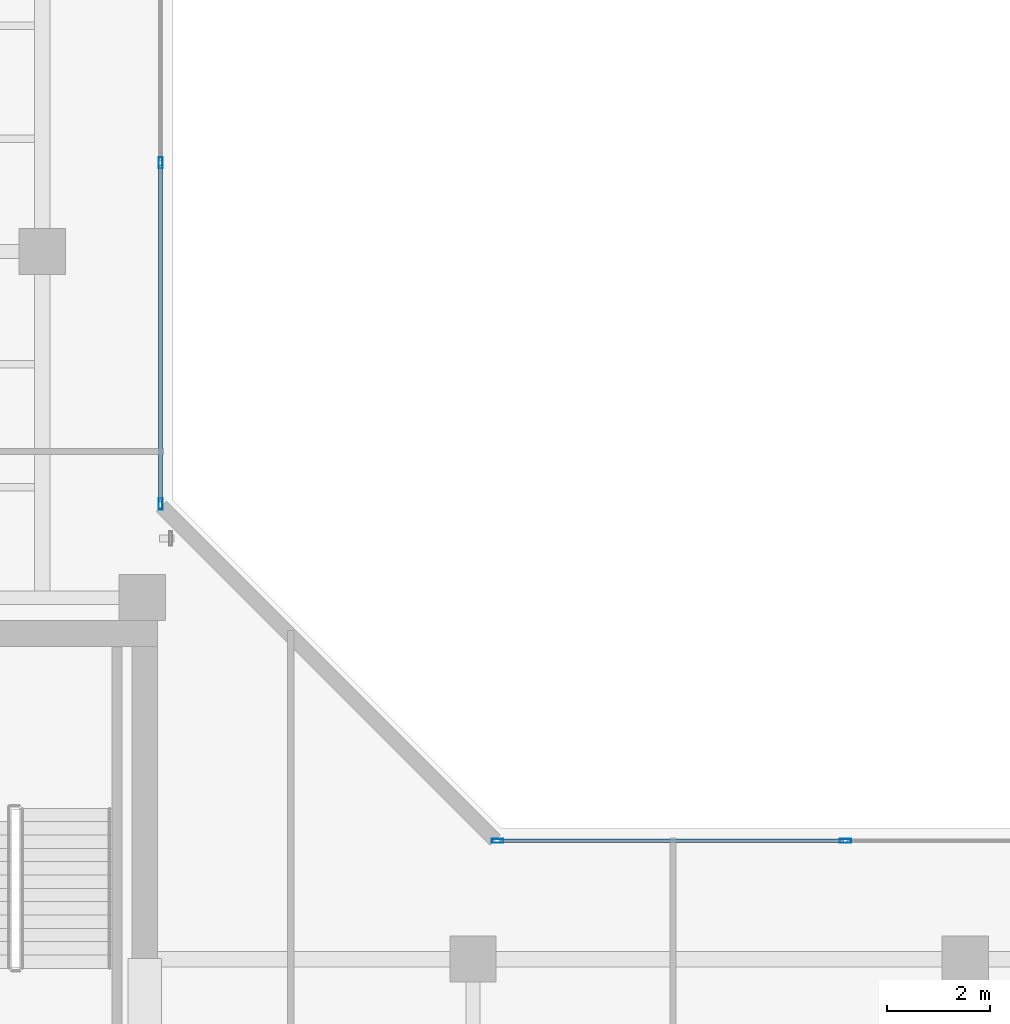
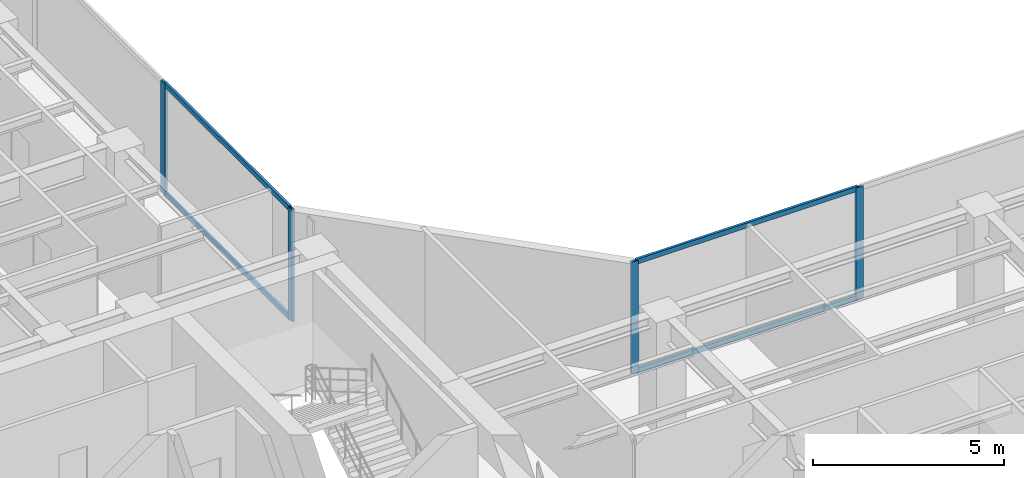
# One storey, part 10 of 22: 8 members, 2 elements without a shape of their own.
"""IFC4 building model written with IfcOpenShell, lengths in metres."""

from ifc_helpers import new_model, si_unit, direction, frame, origin, origin_with_axes, origin_2d, place, context, subcontext, project, spatial, hollow_rectangle, extrude, source, transform, mapped, material, layer, layer_set, material_profile, profile_set, type_object, element, aggregate, save


model = new_model("IFC4")

# Units and contexts
model_context = context("Model", 3, precision=1e-05, world=origin(), true_north=direction((0.0, 1.0)))
body_context = subcontext(model_context, "Body", "Model", "MODEL_VIEW")
ifc_project = project(units=[si_unit("LENGTHUNIT", "METRE"), si_unit("AREAUNIT", "SQUARE_METRE"), si_unit("VOLUMEUNIT", "CUBIC_METRE"), si_unit("PLANEANGLEUNIT", "RADIAN"), si_unit("MASSUNIT", "GRAM", prefix="KILO")], contexts=[model_context])

# Site, building, storey
site_placement = place(None, origin())
site = spatial("IfcSite", under=ifc_project, at=site_placement, CompositionType="ELEMENT")
building_placement = place(site_placement, origin())
building = spatial("IfcBuilding", under=site, at=building_placement, Name="Kolvaren Waterfront Exchange", CompositionType="ELEMENT")
storey_placement = place(building_placement, frame((0.0, 0.0, 281.800048828125)))
storey = spatial("IfcBuildingStorey", under=building, at=storey_placement, Name="L72", CompositionType="ELEMENT", Elevation=281.800048828125)

# Curtain wall, members
ifc_material_1 = material(Name="Anodised bronze aluminium 6063-T6", Category="aluminium")
ifc_layer = layer(ifc_material_1, 0.219970703125, Name="Anodised bronze aluminium 6063-T6")
ifc_layer_set = layer_set([ifc_layer], Name="Anodised bronze aluminium 6063-T6")
curtain_wall_type = type_object("IfcCurtainWallType", Name="ARC-CW-SYS1", PredefinedType="USERDEFINED", material=ifc_layer_set)
curtain_wall_1_placement = place(storey_placement, origin())
curtain_wall_1 = element("IfcCurtainWall", 1, at=curtain_wall_1_placement, inside=storey, type_object=curtain_wall_type, Name="L72 stick curtain wall CW1 (CW-L72-NE)", ObjectType="STICK CURTAIN WALL", PredefinedType="USERDEFINED")
ifc_material_2 = material(Name="Anodised aluminium 6063-T6", Category="aluminium")
ifc_material_profile_1 = material_profile(ifc_material_2, hollow_rectangle(XDim=0.080078125, YDim=0.219970703125, WallThickness=0.0048828125, at=origin_2d()), Name="ALU-MUL-220x80x5")
ifc_profile_set_1 = profile_set([ifc_material_profile_1], Name="Anodised aluminium 6063-T6")
member_type_1 = type_object("IfcMemberType", Name="ARC-CWM-220", PredefinedType="MULLION", material=ifc_profile_set_1)
shared_shape_1 = source(origin_with_axes(), body_context, "Body", "SweptSolid", [
    extrude(hollow_rectangle(XDim=0.080078125, YDim=0.219970703125, WallThickness=0.0048828125, at=origin_2d()), origin(), (0.0, 0.0, 1.0), 3.56005859375),
])
member_1_placement = place(storey_placement, frame((21.107421875, 26.27734375, 0.0), z_axis=(0.0, 0.0, 1.0), x_axis=(-1.0, 0.0, 0.0)))
member_1 = element("IfcMember", 2, at=member_1_placement, type_object=member_type_1, Name="CW1 mullion 1", PredefinedType="MULLION", context=body_context, shape_type="MappedRepresentation", body=[
    mapped(shared_shape_1, transform((0.0, 0.0, 0.0), x_axis=(1.0, 0.0, 0.0), y_axis=(0.0, 1.0, 0.0), z_axis=(0.0, 0.0, 1.0), scale=1.0)),
])
member_2_placement = place(storey_placement, frame((21.107421875, 32.93017578125, 0.0), z_axis=(0.0, 0.0, 1.0), x_axis=(-1.0, 0.0, 0.0)))
member_2 = element("IfcMember", 3, at=member_2_placement, type_object=member_type_1, Name="CW1 mullion 2", PredefinedType="MULLION", context=body_context, shape_type="MappedRepresentation", body=[
    mapped(shared_shape_1, transform((0.0, 0.0, 0.0), x_axis=(1.0, 0.0, 0.0), y_axis=(0.0, 1.0, 0.0), z_axis=(0.0, 0.0, 1.0), scale=1.0)),
])

curtain_wall_2_placement = place(storey_placement, origin())
curtain_wall_2 = element("IfcCurtainWall", 4, at=curtain_wall_2_placement, inside=storey, type_object=curtain_wall_type, Name="L72 stick curtain wall CW1 (CW-L72-EN)", ObjectType="STICK CURTAIN WALL", PredefinedType="USERDEFINED")
member_3_placement = place(storey_placement, frame((27.677490234375, 19.70751953125, 0.0), z_axis=(0.0, 0.0, 1.0), x_axis=(0.0, 1.0, 0.0)))
member_3 = element("IfcMember", 5, at=member_3_placement, type_object=member_type_1, Name="CW1 mullion 1", PredefinedType="MULLION", context=body_context, shape_type="MappedRepresentation", body=[
    mapped(shared_shape_1, transform((0.0, 0.0, 0.0), x_axis=(1.0, 0.0, 0.0), y_axis=(0.0, 1.0, 0.0), z_axis=(0.0, 0.0, 1.0), scale=1.0)),
])
member_4_placement = place(storey_placement, frame((34.463623046875, 19.70751953125, 0.0), z_axis=(0.0, 0.0, 1.0), x_axis=(0.0, 1.0, 0.0)))
member_4 = element("IfcMember", 6, at=member_4_placement, type_object=member_type_1, Name="CW1 mullion 2", PredefinedType="MULLION", context=body_context, shape_type="MappedRepresentation", body=[
    mapped(shared_shape_1, transform((0.0, 0.0, 0.0), x_axis=(1.0, 0.0, 0.0), y_axis=(0.0, 1.0, 0.0), z_axis=(0.0, 0.0, 1.0), scale=1.0)),
])

# Member
ifc_material_profile_2 = material_profile(ifc_material_2, hollow_rectangle(XDim=0.074951171875, YDim=0.159912109375, WallThickness=0.00439453125, at=origin_2d()), Name="ALU-TRN-160x75x4.5")
ifc_profile_set_2 = profile_set([ifc_material_profile_2], Name="Anodised aluminium 6063-T6")
member_type_2 = type_object("IfcMemberType", Name="ARC-CWT-160", PredefinedType="USERDEFINED", material=ifc_profile_set_2)
shared_shape_2 = source(origin_with_axes(), body_context, "Body", "SweptSolid", [
    extrude(hollow_rectangle(XDim=0.074951171875, YDim=0.159912109375, WallThickness=0.00439453125, at=origin_2d()), origin(), (0.0, 0.0, 1.0), 6.57275390625),
])
member_5_placement = place(storey_placement, frame((21.107421875, 26.3173828125, 0.037353515625), z_axis=(0.0, 1.0, 0.0), x_axis=(-1.0, 0.0, 0.0)))
member_5 = element("IfcMember", 7, at=member_5_placement, type_object=member_type_2, Name="CW1 transom 1.1", ObjectType="TRANSOM", PredefinedType="USERDEFINED", context=body_context, shape_type="MappedRepresentation", body=[
    mapped(shared_shape_2, transform((0.0, 0.0, 0.0), x_axis=(1.0, 0.0, 0.0), y_axis=(0.0, 1.0, 0.0), z_axis=(0.0, 0.0, 1.0), scale=1.0)),
])

member_6_placement = place(storey_placement, frame((21.107421875, 26.3173828125, 3.5224609375), z_axis=(0.0, 1.0, 0.0), x_axis=(-1.0, 0.0, 0.0)))
member_6 = element("IfcMember", 8, at=member_6_placement, type_object=member_type_2, Name="CW1 transom 1.2", ObjectType="TRANSOM", PredefinedType="USERDEFINED", context=body_context, shape_type="MappedRepresentation", body=[
    mapped(shared_shape_2, transform((0.0, 0.0, 0.0), x_axis=(1.0, 0.0, 0.0), y_axis=(0.0, 1.0, 0.0), z_axis=(0.0, 0.0, 1.0), scale=1.0)),
])

aggregate(curtain_wall_1, [member_1, member_2, member_5, member_6])

shared_shape_3 = source(origin_with_axes(), body_context, "Body", "SweptSolid", [
    extrude(hollow_rectangle(XDim=0.074951171875, YDim=0.159912109375, WallThickness=0.00439453125, at=origin_2d()), origin(), (0.0, 0.0, 1.0), 6.706298828125),
])
member_7_placement = place(storey_placement, frame((27.71728515625, 19.70751953125, 0.037353515625), z_axis=(1.0, 0.0, 0.0), x_axis=(0.0, 1.0, 0.0)))
member_7 = element("IfcMember", 9, at=member_7_placement, type_object=member_type_2, Name="CW1 transom 1.1", ObjectType="TRANSOM", PredefinedType="USERDEFINED", context=body_context, shape_type="MappedRepresentation", body=[
    mapped(shared_shape_3, transform((0.0, 0.0, 0.0), x_axis=(1.0, 0.0, 0.0), y_axis=(0.0, 1.0, 0.0), z_axis=(0.0, 0.0, 1.0), scale=1.0)),
])

member_8_placement = place(storey_placement, frame((27.71728515625, 19.70751953125, 3.5224609375), z_axis=(1.0, 0.0, 0.0), x_axis=(0.0, 1.0, 0.0)))
member_8 = element("IfcMember", 10, at=member_8_placement, type_object=member_type_2, Name="CW1 transom 1.2", ObjectType="TRANSOM", PredefinedType="USERDEFINED", context=body_context, shape_type="MappedRepresentation", body=[
    mapped(shared_shape_3, transform((0.0, 0.0, 0.0), x_axis=(1.0, 0.0, 0.0), y_axis=(0.0, 1.0, 0.0), z_axis=(0.0, 0.0, 1.0), scale=1.0)),
])

aggregate(curtain_wall_2, [member_3, member_4, member_7, member_8])

save(model, "model.ifc")
